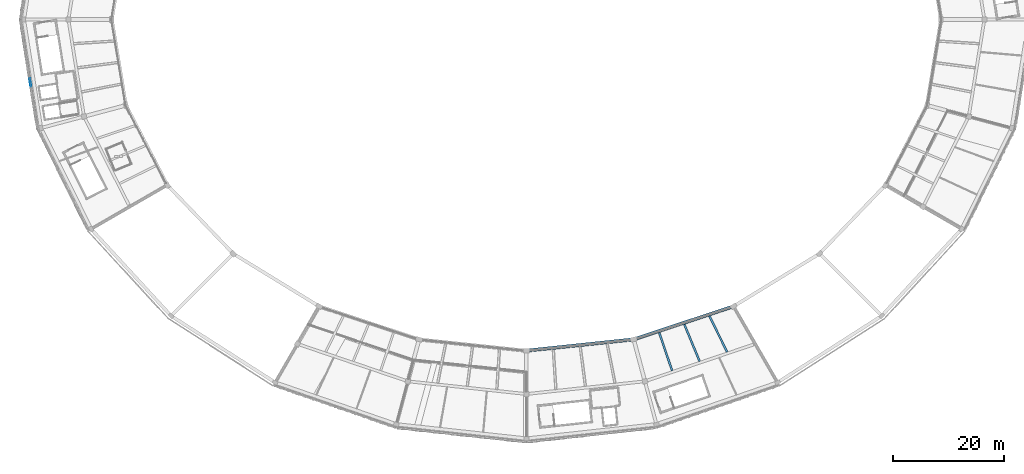
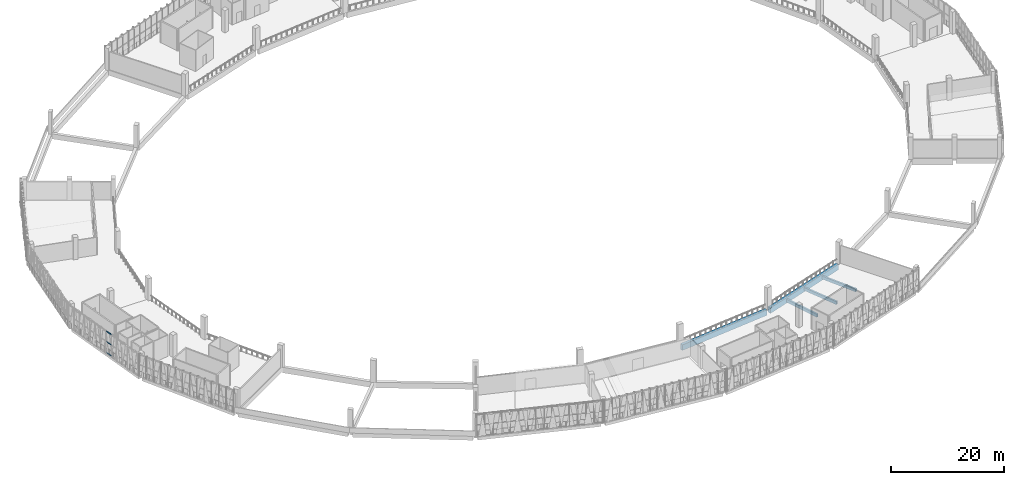
# One storey, part 11 of 64: 5 beams, 3 members, 1 element without a shape of its own.
"""IFC4 building model written with IfcOpenShell, lengths in metres."""

from ifc_helpers import new_model, si_unit, direction, frame, origin, origin_2d, place, context, subcontext, project, spatial, rectangle, extrude, material, material_profile, profile_set, type_object, element, aggregate, save


model = new_model("IFC4")

# Units and contexts
model_context = context("Model", 3, precision=1e-05, world=origin(), true_north=direction((0.0, 1.0)))
body_context = subcontext(model_context, "Body", "Model", "MODEL_VIEW")
ifc_project = project(units=[si_unit("LENGTHUNIT", "METRE"), si_unit("AREAUNIT", "SQUARE_METRE"), si_unit("VOLUMEUNIT", "CUBIC_METRE"), si_unit("PLANEANGLEUNIT", "RADIAN"), si_unit("MASSUNIT", "GRAM", prefix="KILO")], contexts=[model_context])

# Site, building, storey
site_placement = place(None, origin())
site = spatial("IfcSite", under=ifc_project, at=site_placement, CompositionType="ELEMENT")
building_placement = place(site_placement, origin())
building = spatial("IfcBuilding", under=site, at=building_placement, Name="Zevraka Park Crest Stadium", CompositionType="ELEMENT")
storey_placement = place(building_placement, frame((0.0, 0.0, 24.60009765625)))
storey = spatial("IfcBuildingStorey", under=building, at=storey_placement, Name="L05", CompositionType="ELEMENT", Elevation=24.60009765625)

# Curtain wall, members
ifc_material_1 = material(Name="Anodised architectural aluminium and laminated safety glass", Category="aluminium")
curtain_wall_type = type_object("IfcCurtainWallType", Name="CW21", PredefinedType="NOTDEFINED", material=ifc_material_1)
curtain_wall_placement = place(storey_placement, origin())
curtain_wall = element("IfcCurtainWall", 1, at=curtain_wall_placement, inside=storey, type_object=curtain_wall_type, Name="Unitised Ring Curtain Wall CW21 L05-12", PredefinedType="NOTDEFINED")
ifc_material_2 = material(Name="Anodised architectural aluminium", Category="aluminium")
ifc_material_profile_1 = material_profile(ifc_material_2, rectangle(XDim=0.14990234375, YDim=0.070068359375, at=origin_2d()), Name="ALU TRANSOM 150x70")
ifc_profile_set_1 = profile_set([ifc_material_profile_1], Name="Anodised architectural aluminium")
member_type = type_object("IfcMemberType", Name="CT03", PredefinedType="USERDEFINED", material=ifc_profile_set_1)
member_1_placement = place(storey_placement, frame((22.75244140625, 81.39697265625, 0.034912109375), z_axis=(0.155788469887, -0.987790439643, 0.0), x_axis=(0.987790439643, 0.155788469887, 0.0)))
member_1 = element("IfcMember", 2, at=member_1_placement, type_object=member_type, Name="CW21 transom 8.1", ObjectType="TRANSOM", PredefinedType="USERDEFINED", context=body_context, shape_type="SweptSolid", body=[
    extrude(rectangle(XDim=0.14990234375, YDim=0.070068359375, at=origin_2d()), origin(), (0.0, 0.0, 1.0), 1.440185546875),
])
member_2_placement = place(storey_placement, frame((22.75244140625, 81.39697265625, 2.39990234375), z_axis=(0.155788469887, -0.987790439643, 0.0), x_axis=(0.987790439643, 0.155788469887, 0.0)))
member_2 = element("IfcMember", 3, at=member_2_placement, type_object=member_type, Name="CW21 transom 8.2", ObjectType="TRANSOM", PredefinedType="USERDEFINED", context=body_context, shape_type="SweptSolid", body=[
    extrude(rectangle(XDim=0.14990234375, YDim=0.070068359375, at=origin_2d()), origin(), (0.0, 0.0, 1.0), 1.440185546875),
])
member_3_placement = place(storey_placement, frame((22.75244140625, 81.39697265625, 4.5849609375), z_axis=(0.155788469887, -0.987790439643, 0.0), x_axis=(0.987790439643, 0.155788469887, 0.0)))
member_3 = element("IfcMember", 4, at=member_3_placement, type_object=member_type, Name="CW21 transom 8.3", ObjectType="TRANSOM", PredefinedType="USERDEFINED", context=body_context, shape_type="SweptSolid", body=[
    extrude(rectangle(XDim=0.14990234375, YDim=0.070068359375, at=origin_2d()), origin(), (0.0, 0.0, 1.0), 1.440185546875),
])
aggregate(curtain_wall, [member_1, member_2, member_3])

# Beams
ifc_material_3 = material(Name="Concrete C40/50", Category="concrete")
ifc_material_profile_2 = material_profile(ifc_material_3, rectangle(XDim=0.60009765625, YDim=1.199951171875, at=origin_2d()), Name="RC 1200x600")
ifc_profile_set_2 = profile_set([ifc_material_profile_2], Name="Concrete C40/50")
beam_type_1 = type_object("IfcBeamType", Name="RB01", PredefinedType="BEAM", material=ifc_profile_set_2)
beam_1_placement = place(storey_placement, frame((112.3779296875, 32.5400390625, -0.610107421875), z_axis=(0.994522746434, 0.1045203656, 0.0), x_axis=(-0.1045203656, 0.994522746434, 0.0)))
element("IfcBeam", 5, at=beam_1_placement, inside=storey, type_object=beam_type_1, Name="Ring Beam RB01 L05-B-18", PredefinedType="BEAM", context=body_context, shape_type="SweptSolid", body=[
    extrude(rectangle(XDim=0.60009765625, YDim=1.199951171875, at=origin_2d()), origin(), (0.0, 0.0, 1.0), 18.628173828125),
])
beam_2_placement = place(storey_placement, frame((131.64306640625, 34.64599609375, -0.610107421875), z_axis=(0.949383863235, 0.314118258349, 0.0), x_axis=(-0.314118258349, 0.949383863235, 0.0)))
element("IfcBeam", 6, at=beam_2_placement, inside=storey, type_object=beam_type_1, Name="Ring Beam RB01 L05-B-19", PredefinedType="BEAM", context=body_context, shape_type="SweptSolid", body=[
    extrude(rectangle(XDim=0.60009765625, YDim=1.199951171875, at=origin_2d()), origin(), (0.0, 0.0, 1.0), 18.165283203125),
])
ifc_material_4 = material(Name="Concrete C40/50", Category="concrete")
ifc_material_profile_3 = material_profile(ifc_material_4, rectangle(XDim=0.35009765625, YDim=0.64990234375, at=origin_2d()), Name="RC 650x350")
ifc_profile_set_3 = profile_set([ifc_material_profile_3], Name="Concrete C40/50")
beam_type_2 = type_object("IfcBeamType", Name="SJ06", PredefinedType="JOIST", material=ifc_profile_set_3)
beam_3_placement = place(storey_placement, frame((135.875, 35.715087890625, -0.593017578125), z_axis=(0.321275682742, -0.946985710388, 0.0), x_axis=(0.946985710388, 0.321275682742, 0.0)))
element("IfcBeam", 7, at=beam_3_placement, inside=storey, type_object=beam_type_2, Name="Floor Joist SJ06 L05-BC-19-1", PredefinedType="JOIST", context=body_context, shape_type="SweptSolid", body=[
    extrude(rectangle(XDim=0.35009765625, YDim=0.64990234375, at=origin_2d()), origin(), (0.0, 0.0, 1.0), 7.190185546875),
])
beam_4_placement = place(storey_placement, frame((140.386962890625, 37.2080078125, -0.593017578125), z_axis=(0.382700487371, -0.923872467912, 0.0), x_axis=(0.923872467912, 0.382700487371, 0.0)))
element("IfcBeam", 8, at=beam_4_placement, inside=storey, type_object=beam_type_2, Name="Floor Joist SJ06 L05-BC-19-2", PredefinedType="JOIST", context=body_context, shape_type="SweptSolid", body=[
    extrude(rectangle(XDim=0.35009765625, YDim=0.64990234375, at=origin_2d()), origin(), (0.0, 0.0, 1.0), 7.173095703125),
])
beam_5_placement = place(storey_placement, frame((144.89697265625, 38.702880859375, -0.593017578125), z_axis=(0.442549118131, -0.896744265686, 0.0), x_axis=(0.896744265686, 0.442549118131, 0.0)))
element("IfcBeam", 9, at=beam_5_placement, inside=storey, type_object=beam_type_2, Name="Floor Joist SJ06 L05-BC-19-3", PredefinedType="JOIST", context=body_context, shape_type="SweptSolid", body=[
    extrude(rectangle(XDim=0.35009765625, YDim=0.64990234375, at=origin_2d()), origin(), (0.0, 0.0, 1.0), 7.1904296875),
])

save(model, "model.ifc")
